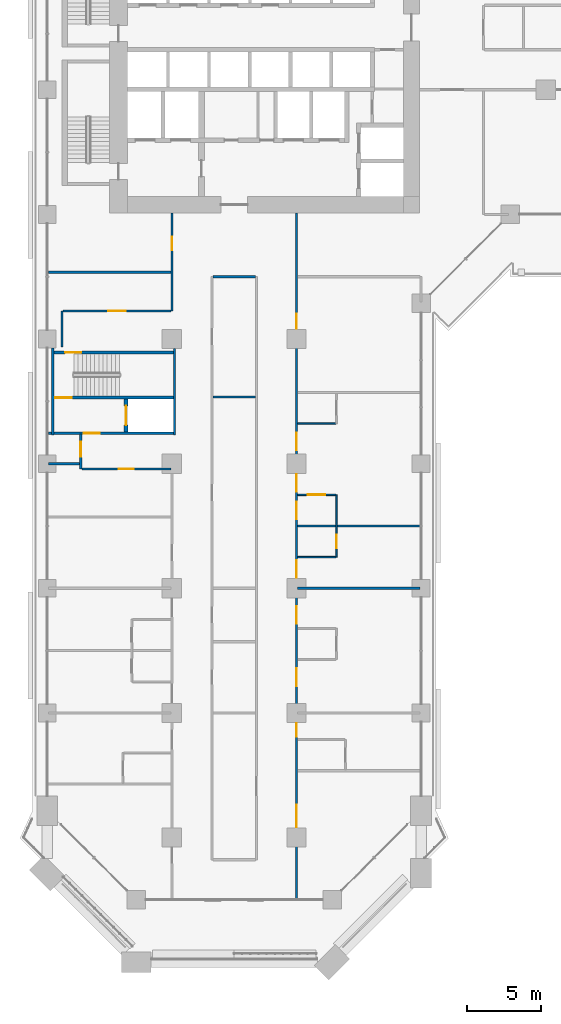
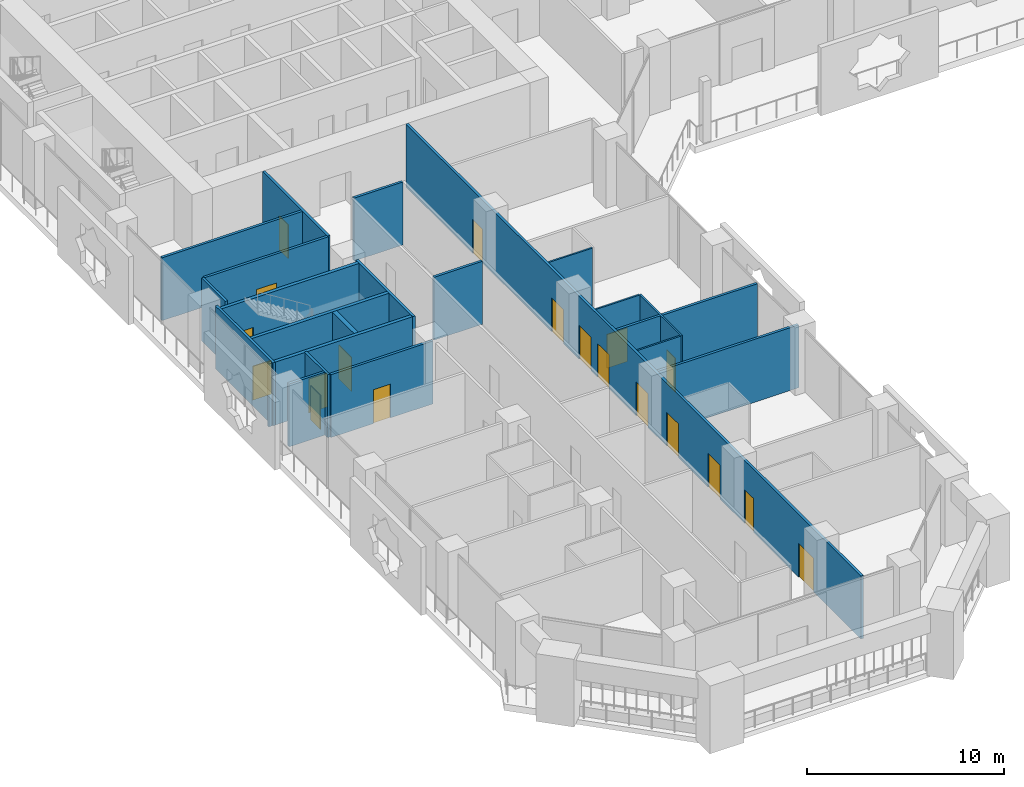
# One storey, part 14 of 26: 23 walls, 19 doors, 19 openings.
"""IFC4 building model written with IfcOpenShell, lengths in metres."""

from ifc_helpers import new_model, si_unit, direction, frame, frame_2d, origin, place, context, subcontext, project, spatial, rectangle, extrude, material, layer, layer_set, type_object, element, fill, save


model = new_model("IFC4")

# Units and contexts
model_context = context("Model", 3, precision=1e-05, world=origin(), true_north=direction((0.0, 1.0)))
body_context = subcontext(model_context, "Body", "Model", "MODEL_VIEW")
ifc_project = project(units=[si_unit("LENGTHUNIT", "METRE"), si_unit("AREAUNIT", "SQUARE_METRE"), si_unit("VOLUMEUNIT", "CUBIC_METRE"), si_unit("PLANEANGLEUNIT", "RADIAN"), si_unit("MASSUNIT", "GRAM", prefix="KILO")], contexts=[model_context])

# Site, building, storey
site_placement = place(None, origin())
site = spatial("IfcSite", under=ifc_project, at=site_placement, CompositionType="ELEMENT")
building_placement = place(site_placement, origin())
building = spatial("IfcBuilding", under=site, at=building_placement, Name="Kawkab Arch Medical Tower", CompositionType="ELEMENT")
storey_placement = place(building_placement, frame((0.0, 0.0, 51.800048828125)))
storey = spatial("IfcBuildingStorey", under=building, at=storey_placement, Name="L11", CompositionType="ELEMENT", Elevation=51.800048828125)

# Wall, opening, door
ifc_material_1 = material(Name="Concrete C60/75", Category="concrete")
ifc_layer_1 = layer(ifc_material_1, 0.25)
ifc_layer_set_1 = layer_set([ifc_layer_1], Name="Concrete C60/75")
wall_type_1 = type_object("IfcWallType", Name="Core shear wall 250 C60/75", PredefinedType="SHEAR", material=ifc_layer_set_1)
wall_1_placement = place(storey_placement, frame((5.300048828125, -39.85009765625, 0.0), z_axis=(0.0, 0.0, 1.0), x_axis=(0.0, 1.0, 0.0)))
wall_1 = element("IfcWall", 1, at=wall_1_placement, inside=storey, type_object=wall_type_1, Name="L11 core shear wall", PredefinedType="SHEAR", context=body_context, shape_type="SweptSolid", body=[
    extrude(rectangle(XDim=2.2001953125, YDim=0.25, at=frame_2d((1.10009765625, 0.0))), origin(), (0.0, 0.0, 1.0), 3.89990234375),
])
opening_1_placement = place(wall_1_placement, frame((0.449951171875, 0.0, 0.0)))
opening_1 = element("IfcOpeningElement", 2, at=opening_1_placement, cuts=wall_1, Name="Opening LD2", PredefinedType="OPENING", context=body_context, shape_type="SweptSolid", body=[
    extrude(rectangle(XDim=1.300048828125, YDim=2.10009765625, at=frame_2d((0.64990234375, 1.050048828125))), frame((0.0, 0.135009765625, 0.0), z_axis=(0.0, -1.0, 0.0), x_axis=(1.0, 0.0, 0.0)), (0.0, 0.0, 1.0), 0.27001953125),
])
ifc_material_2 = material(Name="Stainless steel lift door leaf", Category="steel")
door_type_1 = type_object("IfcDoorType", Name="Lift landing door 1300", OperationType="DOUBLE_DOOR_SLIDING", PredefinedType="DOOR", material=ifc_material_2)
door_1_placement = place(opening_1_placement, origin())
door_1 = element("IfcDoor", 3, at=door_1_placement, inside=storey, type_object=door_type_1, Name="L11 Lift landing door SV2", OperationType="DOUBLE_DOOR_SLIDING", OverallHeight=2.10009765625, OverallWidth=1.300048828125, PredefinedType="DOOR", context=body_context, shape_type="SweptSolid", body=[
    extrude(rectangle(XDim=1.300048828125, YDim=2.10009765625, at=frame_2d((0.64990234375, 1.050048828125))), frame((0.0, 0.02490234375, 0.0), z_axis=(0.0, -1.0, 0.0), x_axis=(1.0, 0.0, 0.0)), (0.0, 0.0, 1.0), 0.050048828125),
])
fill(opening_1, door_1)

# Wall
ifc_material_3 = material(Name="Gypsum board partition on steel studs", Category="steel")
ifc_layer_2 = layer(ifc_material_3, 0.10009765625)
ifc_layer_set_2 = layer_set([ifc_layer_2], Name="Gypsum board partition on steel studs")
wall_type_2 = type_object("IfcWallType", Name="Partition 100", PredefinedType="PARTITIONING", material=ifc_layer_set_2)
wall_2_placement = place(storey_placement, frame((16.875, -48.300048828125, 0.0), z_axis=(0.0, 0.0, 1.0), x_axis=(1.0, 0.0, 0.0)))
element("IfcWall", 4, at=wall_2_placement, inside=storey, type_object=wall_type_2, Name="Partition 100 w007", PredefinedType="PARTITIONING", context=body_context, shape_type="SweptSolid", body=[
    extrude(rectangle(XDim=2.574951171875, YDim=0.10009765625, at=frame_2d((1.28759765625, 0.0))), origin(), (0.0, 0.0, 1.0), 3.89990234375),
])

# Wall, opening, door
wall_3_placement = place(storey_placement, frame((16.875, -44.10009765625, 0.0), z_axis=(0.0, 0.0, 1.0), x_axis=(1.0, 0.0, 0.0)))
wall_3 = element("IfcWall", 5, at=wall_3_placement, inside=storey, type_object=wall_type_2, Name="Partition 100 w008", PredefinedType="PARTITIONING", context=body_context, shape_type="SweptSolid", body=[
    extrude(rectangle(XDim=2.574951171875, YDim=0.10009765625, at=frame_2d((1.28759765625, 0.0))), origin(), (0.0, 0.0, 1.0), 3.89990234375),
])
opening_2_placement = place(wall_3_placement, frame((0.675048828125, 0.0, 0.0)))
opening_2 = element("IfcOpeningElement", 6, at=opening_2_placement, cuts=wall_3, Name="Opening W11-070", PredefinedType="OPENING", context=body_context, shape_type="SweptSolid", body=[
    extrude(rectangle(XDim=1.199951171875, YDim=2.10009765625, at=frame_2d((0.60009765625, 1.050048828125))), frame((0.0, 0.06005859375, 0.0), z_axis=(0.0, -1.0, 0.0), x_axis=(1.0, 0.0, 0.0)), (0.0, 0.0, 1.0), 0.1201171875),
])
ifc_material_4 = material(Name="Timber door leaf", Category="wood")
door_type_2 = type_object("IfcDoorType", Name="Single door 1200x2100", OperationType="NOTDEFINED", PredefinedType="DOOR", material=ifc_material_4)
door_2_placement = place(opening_2_placement, origin())
door_2 = element("IfcDoor", 7, at=door_2_placement, inside=storey, type_object=door_type_2, Name="Door W11-070", OperationType="SINGLE_SWING_RIGHT", OverallHeight=2.10009765625, OverallWidth=1.199951171875, PredefinedType="DOOR", context=body_context, shape_type="SweptSolid", body=[
    extrude(rectangle(XDim=1.199951171875, YDim=2.10009765625, at=frame_2d((0.60009765625, 1.050048828125))), frame((0.0, 0.02490234375, 0.0), z_axis=(0.0, -1.0, 0.0), x_axis=(1.0, 0.0, 0.0)), (0.0, 0.0, 1.0), 0.050048828125),
])
fill(opening_2, door_2)

# Wall
wall_4_placement = place(storey_placement, frame((16.875, -39.300048828125, 0.0), z_axis=(0.0, 0.0, 1.0), x_axis=(1.0, 0.0, 0.0)))
element("IfcWall", 8, at=wall_4_placement, inside=storey, type_object=wall_type_2, Name="Partition 100 w009", PredefinedType="PARTITIONING", context=body_context, shape_type="SweptSolid", body=[
    extrude(rectangle(XDim=2.574951171875, YDim=0.10009765625, at=frame_2d((1.28759765625, 0.0))), origin(), (0.0, 0.0, 1.0), 3.89990234375),
])

# Wall, opening, door
wall_5_placement = place(storey_placement, frame((19.5, -48.300048828125, 0.0), z_axis=(0.0, 0.0, 1.0), x_axis=(0.0, 1.0, 0.0)))
wall_5 = element("IfcWall", 9, at=wall_5_placement, inside=storey, type_object=wall_type_2, Name="Partition 100 w024", PredefinedType="PARTITIONING", context=body_context, shape_type="SweptSolid", body=[
    extrude(rectangle(XDim=4.199951171875, YDim=0.10009765625, at=frame_2d((2.10009765625, 0.0))), origin(), (0.0, 0.0, 1.0), 3.89990234375),
])
opening_3_placement = place(wall_5_placement, frame((0.60009765625, 0.0, 0.0)))
opening_3 = element("IfcOpeningElement", 10, at=opening_3_placement, cuts=wall_5, Name="Opening W11-023", PredefinedType="OPENING", context=body_context, shape_type="SweptSolid", body=[
    extrude(rectangle(XDim=0.89990234375, YDim=2.10009765625, at=frame_2d((0.449951171875, 1.050048828125))), frame((0.0, 0.06005859375, 0.0), z_axis=(0.0, -1.0, 0.0), x_axis=(1.0, 0.0, 0.0)), (0.0, 0.0, 1.0), 0.1201171875),
])
ifc_material_5 = material(Name="Timber door leaf", Category="wood")
door_type_3 = type_object("IfcDoorType", Name="Single door 900x2100", OperationType="NOTDEFINED", PredefinedType="DOOR", material=ifc_material_5)
door_3_placement = place(opening_3_placement, origin())
door_3 = element("IfcDoor", 11, at=door_3_placement, inside=storey, type_object=door_type_3, Name="Door W11-023", OperationType="SINGLE_SWING_RIGHT", OverallHeight=2.10009765625, OverallWidth=0.89990234375, PredefinedType="DOOR", context=body_context, shape_type="SweptSolid", body=[
    extrude(rectangle(XDim=0.89990234375, YDim=2.10009765625, at=frame_2d((0.449951171875, 1.050048828125))), frame((0.0, 0.02490234375, 0.0), z_axis=(0.0, -1.0, 0.0), x_axis=(1.0, 0.0, 0.0)), (0.0, 0.0, 1.0), 0.050048828125),
])
fill(opening_3, door_3)

# Walls
ifc_material_6 = material(Name="Gypsum board partition on steel studs, mineral wool", Category="steel")
ifc_layer_3 = layer(ifc_material_6, 0.14990234375)
ifc_layer_set_3 = layer_set([ifc_layer_3], Name="Gypsum board partition on steel studs, mineral wool")
wall_type_3 = type_object("IfcWallType", Name="Partition 150", PredefinedType="PARTITIONING", material=ifc_layer_set_3)
for number, where, z_axis, x_axis, name in (
    (12, (16.875, -50.39990234375, 0.0), (0.0, 0.0, 1.0), (1.0, 0.0, 0.0), "Partition 150 w049"),
    (13, (16.875, -46.199951171875, 0.0), (0.0, 0.0, 1.0), (1.0, 0.0, 0.0), "Partition 150 w050"),
):
    element("IfcWall", number, at=place(storey_placement, frame(where, z_axis=z_axis, x_axis=x_axis)), inside=storey, type_object=wall_type_3, Name=name, PredefinedType="PARTITIONING", context=body_context, shape_type="SweptSolid", body=[
        extrude(rectangle(XDim=8.2451171875, YDim=0.14990234375, at=frame_2d((4.12255859375, 0.0))), origin(), (0.0, 0.0, 1.0), 3.89990234375),
    ])

# Wall, opening, door
wall_6_placement = place(storey_placement, frame((2.326904296875, -42.35009765625, 0.0), z_axis=(0.0, 0.0, 1.0), x_axis=(1.0, 0.0, 0.0)))
wall_6 = element("IfcWall", 14, at=wall_6_placement, inside=storey, type_object=wall_type_3, Name="Partition 150 w052", PredefinedType="PARTITIONING", context=body_context, shape_type="SweptSolid", body=[
    extrude(rectangle(XDim=5.998046875, YDim=0.14990234375, at=frame_2d((2.9990234375, 0.0))), origin(), (0.0, 0.0, 1.0), 3.89990234375),
])
opening_4_placement = place(wall_6_placement, frame((2.4990234375, 0.0, 0.0)))
opening_4 = element("IfcOpeningElement", 15, at=opening_4_placement, cuts=wall_6, Name="Opening W11-034", PredefinedType="OPENING", context=body_context, shape_type="SweptSolid", body=[
    extrude(rectangle(XDim=1.0, YDim=2.10009765625, at=frame_2d((0.5, 1.050048828125))), frame((0.0, 0.0849609375, 0.0), z_axis=(0.0, -1.0, 0.0), x_axis=(1.0, 0.0, 0.0)), (0.0, 0.0, 1.0), 0.169921875),
])
ifc_material_7 = material(Name="Hollow metal door leaf")
door_type_4 = type_object("IfcDoorType", Name="Single door 1000x2100 FD30S", OperationType="NOTDEFINED", PredefinedType="DOOR", material=ifc_material_7)
door_4_placement = place(opening_4_placement, origin())
door_4 = element("IfcDoor", 16, at=door_4_placement, inside=storey, type_object=door_type_4, Name="Door W11-034", OperationType="SINGLE_SWING_LEFT", OverallHeight=2.10009765625, OverallWidth=1.0, PredefinedType="DOOR", context=body_context, shape_type="SweptSolid", body=[
    extrude(rectangle(XDim=1.0, YDim=2.10009765625, at=frame_2d((0.5, 1.050048828125))), frame((0.0, 0.02490234375, 0.0), z_axis=(0.0, -1.0, 0.0), x_axis=(1.0, 0.0, 0.0)), (0.0, 0.0, 1.0), 0.050048828125),
])
fill(opening_4, door_4)

# Walls
wall_7_placement = place(storey_placement, frame((0.080078125, -42.0, 0.0), z_axis=(0.0, 0.0, 1.0), x_axis=(1.0, 0.0, 0.0)))
element("IfcWall", 17, at=wall_7_placement, inside=storey, type_object=wall_type_3, Name="Partition 150 w053", PredefinedType="PARTITIONING", context=body_context, shape_type="SweptSolid", body=[
    extrude(rectangle(XDim=2.094970703125, YDim=0.14990234375, at=frame_2d((1.04736328125, 0.0))), origin(), (0.0, 0.0, 1.0), 3.89990234375),
])
wall_8_placement = place(storey_placement, frame((0.080078125, -39.949951171875, 0.0), z_axis=(0.0, 0.0, 1.0), x_axis=(1.0, 0.0, 0.0)))
element("IfcWall", 18, at=wall_8_placement, inside=storey, type_object=wall_type_3, Name="Partition 150 w054", PredefinedType="PARTITIONING", context=body_context, shape_type="SweptSolid", body=[
    extrude(rectangle(XDim=0.18994140625, YDim=0.14990234375, at=frame_2d((0.094970703125, 0.0))), origin(), (0.0, 0.0, 1.0), 3.89990234375),
])
wall_9_placement = place(storey_placement, frame((11.175048828125, -37.5, 0.0), z_axis=(0.0, 0.0, 1.0), x_axis=(1.0, 0.0, 0.0)))
element("IfcWall", 19, at=wall_9_placement, inside=storey, type_object=wall_type_3, Name="Partition 150 w055", PredefinedType="PARTITIONING", context=body_context, shape_type="SweptSolid", body=[
    extrude(rectangle(XDim=2.849853515625, YDim=0.14990234375, at=frame_2d((1.4248046875, 0.0))), origin(), (0.0, 0.0, 1.0), 3.89990234375),
])

# Wall, opening, door
wall_10_placement = place(storey_placement, frame((1.076904296875, -31.70703125, 0.0), z_axis=(0.0, 0.0, 1.0), x_axis=(1.0, 0.0, 0.0)))
wall_10 = element("IfcWall", 20, at=wall_10_placement, inside=storey, type_object=wall_type_3, Name="Partition 150 w057", PredefinedType="PARTITIONING", context=body_context, shape_type="SweptSolid", body=[
    extrude(rectangle(XDim=7.248046875, YDim=0.14990234375, at=frame_2d((3.6240234375, 0.0))), origin(), (0.0, 0.0, 1.0), 3.89990234375),
])
opening_5_placement = place(wall_10_placement, frame((3.02392578125, 0.0, 0.0)))
opening_5 = element("IfcOpeningElement", 21, at=opening_5_placement, cuts=wall_10, Name="Opening W11-062", PredefinedType="OPENING", context=body_context, shape_type="SweptSolid", body=[
    extrude(rectangle(XDim=1.199951171875, YDim=2.10009765625, at=frame_2d((0.60009765625, 1.050048828125))), frame((0.0, 0.0849609375, 0.0), z_axis=(0.0, -1.0, 0.0), x_axis=(1.0, 0.0, 0.0)), (0.0, 0.0, 1.0), 0.169921875),
])
ifc_material_8 = material(Name="Hollow metal door leaf")
door_type_5 = type_object("IfcDoorType", Name="Single door 1200x2100 FD30S", OperationType="NOTDEFINED", PredefinedType="DOOR", material=ifc_material_8)
door_5_placement = place(opening_5_placement, origin())
door_5 = element("IfcDoor", 22, at=door_5_placement, inside=storey, type_object=door_type_5, Name="Door W11-062", OperationType="SINGLE_SWING_RIGHT", OverallHeight=2.10009765625, OverallWidth=1.199951171875, PredefinedType="DOOR", context=body_context, shape_type="SweptSolid", body=[
    extrude(rectangle(XDim=1.199951171875, YDim=2.10009765625, at=frame_2d((0.60009765625, 1.050048828125))), frame((0.0, 0.02490234375, 0.0), z_axis=(0.0, -1.0, 0.0), x_axis=(1.0, 0.0, 0.0)), (0.0, 0.0, 1.0), 0.050048828125),
])
fill(opening_5, door_5)

# Walls
wall_11_placement = place(storey_placement, frame((11.175048828125, -29.39990234375, 0.0), z_axis=(0.0, 0.0, 1.0), x_axis=(1.0, 0.0, 0.0)))
element("IfcWall", 23, at=wall_11_placement, inside=storey, type_object=wall_type_3, Name="Partition 150 w058", PredefinedType="PARTITIONING", context=body_context, shape_type="SweptSolid", body=[
    extrude(rectangle(XDim=2.849853515625, YDim=0.14990234375, at=frame_2d((1.4248046875, 0.0))), origin(), (0.0, 0.0, 1.0), 3.89990234375),
])
wall_12_placement = place(storey_placement, frame((0.080078125, -29.10009765625, 0.0), z_axis=(0.0, 0.0, 1.0), x_axis=(1.0, 0.0, 0.0)))
element("IfcWall", 24, at=wall_12_placement, inside=storey, type_object=wall_type_3, Name="Partition 150 w060", PredefinedType="PARTITIONING", context=body_context, shape_type="SweptSolid", body=[
    extrude(rectangle(XDim=8.244873046875, YDim=0.14990234375, at=frame_2d((4.12255859375, 0.0))), origin(), (0.0, 0.0, 1.0), 3.89990234375),
])
wall_13_placement = place(storey_placement, frame((1.0, -34.123046875, 0.0), z_axis=(0.0, 0.0, 1.0), x_axis=(0.0, 1.0, 0.0)))
element("IfcWall", 25, at=wall_13_placement, inside=storey, type_object=wall_type_3, Name="Partition 150 w071", PredefinedType="PARTITIONING", context=body_context, shape_type="SweptSolid", body=[
    extrude(rectangle(XDim=2.4150390625, YDim=0.14990234375, at=frame_2d((1.20751953125, 0.0))), origin(), (0.0, 0.0, 1.0), 3.89990234375),
])

# Wall, opening, door
wall_14_placement = place(storey_placement, frame((2.25, -42.347900390625, 0.0), z_axis=(0.0, 0.0, 1.0), x_axis=(0.0, 1.0, 0.0)))
wall_14 = element("IfcWall", 26, at=wall_14_placement, inside=storey, type_object=wall_type_3, Name="Partition 150 w072", PredefinedType="PARTITIONING", context=body_context, shape_type="SweptSolid", body=[
    extrude(rectangle(XDim=2.347900390625, YDim=0.14990234375, at=frame_2d((1.173828125, 0.0))), origin(), (0.0, 0.0, 1.0), 3.89990234375),
])
opening_6_placement = place(wall_14_placement, frame((0.822998046875, 0.0, 0.0)))
opening_6 = element("IfcOpeningElement", 27, at=opening_6_placement, cuts=wall_14, Name="Opening W11-033", PredefinedType="OPENING", context=body_context, shape_type="SweptSolid", body=[
    extrude(rectangle(XDim=1.0, YDim=2.10009765625, at=frame_2d((0.5, 1.050048828125))), frame((0.0, 0.0849609375, 0.0), z_axis=(0.0, -1.0, 0.0), x_axis=(1.0, 0.0, 0.0)), (0.0, 0.0, 1.0), 0.169921875),
])
door_6_placement = place(opening_6_placement, origin())
door_6 = element("IfcDoor", 28, at=door_6_placement, inside=storey, type_object=door_type_4, Name="Door W11-033", OperationType="SINGLE_SWING_LEFT", OverallHeight=2.10009765625, OverallWidth=1.0, PredefinedType="DOOR", context=body_context, shape_type="SweptSolid", body=[
    extrude(rectangle(XDim=1.0, YDim=2.10009765625, at=frame_2d((0.5, 1.050048828125))), frame((0.0, 0.02490234375, 0.0), z_axis=(0.0, -1.0, 0.0), x_axis=(1.0, 0.0, 0.0)), (0.0, 0.0, 1.0), 0.050048828125),
])
fill(opening_6, door_6)

wall_15_placement = place(storey_placement, frame((8.39990234375, -31.70703125, 0.0), z_axis=(0.0, 0.0, 1.0), x_axis=(0.0, 1.0, 0.0)))
wall_15 = element("IfcWall", 29, at=wall_15_placement, inside=storey, type_object=wall_type_3, Name="Partition 150 w074", PredefinedType="PARTITIONING", context=body_context, shape_type="SweptSolid", body=[
    extrude(rectangle(XDim=6.60693359375, YDim=0.14990234375, at=frame_2d((3.303466796875, 0.0))), origin(), (0.0, 0.0, 1.0), 3.89990234375),
])
opening_7_placement = place(wall_15_placement, frame((4.10693359375, 0.0, 0.0)))
opening_7 = element("IfcOpeningElement", 30, at=opening_7_placement, cuts=wall_15, Name="Opening W11-017", PredefinedType="OPENING", context=body_context, shape_type="SweptSolid", body=[
    extrude(rectangle(XDim=0.89990234375, YDim=2.10009765625, at=frame_2d((0.449951171875, 1.050048828125))), frame((0.0, 0.0849609375, 0.0), z_axis=(0.0, -1.0, 0.0), x_axis=(1.0, 0.0, 0.0)), (0.0, 0.0, 1.0), 0.169921875),
])
door_7_placement = place(opening_7_placement, origin())
door_7 = element("IfcDoor", 31, at=door_7_placement, inside=storey, type_object=door_type_3, Name="Door W11-017", OperationType="SINGLE_SWING_RIGHT", OverallHeight=2.10009765625, OverallWidth=0.89990234375, PredefinedType="DOOR", context=body_context, shape_type="SweptSolid", body=[
    extrude(rectangle(XDim=0.89990234375, YDim=2.10009765625, at=frame_2d((0.449951171875, 1.050048828125))), frame((0.0, 0.02490234375, 0.0), z_axis=(0.0, -1.0, 0.0), x_axis=(1.0, 0.0, 0.0)), (0.0, 0.0, 1.0), 0.050048828125),
])
fill(opening_7, door_7)

# Wall, openings, doors
wall_16_placement = place(storey_placement, frame((16.800048828125, -71.320068359375, 0.0), z_axis=(0.0, 0.0, 1.0), x_axis=(0.0, 1.0, 0.0)))
wall_16 = element("IfcWall", 32, at=wall_16_placement, inside=storey, type_object=wall_type_3, Name="Partition 150 w077", PredefinedType="PARTITIONING", context=body_context, shape_type="SweptSolid", body=[
    extrude(rectangle(XDim=46.219970703125, YDim=0.14990234375, at=frame_2d((23.10986328125, 0.0))), origin(), (0.0, 0.0, 1.0), 3.89990234375),
])
opening_8_placement = place(wall_16_placement, frame((38.419921875, 0.0, 0.0)))
opening_8 = element("IfcOpeningElement", 33, at=opening_8_placement, cuts=wall_16, Name="Opening W11-040", PredefinedType="OPENING", context=body_context, shape_type="SweptSolid", body=[
    extrude(rectangle(XDim=1.0, YDim=2.10009765625, at=frame_2d((0.5, 1.050048828125))), frame((0.0, 0.0849609375, 0.0), z_axis=(0.0, -1.0, 0.0), x_axis=(1.0, 0.0, 0.0)), (0.0, 0.0, 1.0), 0.169921875),
])
opening_9_placement = place(wall_16_placement, frame((30.219970703125, 0.0, 0.0)))
opening_9 = element("IfcOpeningElement", 34, at=opening_9_placement, cuts=wall_16, Name="Opening W11-067", PredefinedType="OPENING", context=body_context, shape_type="SweptSolid", body=[
    extrude(rectangle(XDim=1.199951171875, YDim=2.10009765625, at=frame_2d((0.60009765625, 1.050048828125))), frame((0.0, 0.0849609375, 0.0), z_axis=(0.0, -1.0, 0.0), x_axis=(1.0, 0.0, 0.0)), (0.0, 0.0, 1.0), 0.169921875),
])
opening_10_placement = place(wall_16_placement, frame((27.419921875, 0.0, 0.0)))
opening_10 = element("IfcOpeningElement", 35, at=opening_10_placement, cuts=wall_16, Name="Opening W11-068", PredefinedType="OPENING", context=body_context, shape_type="SweptSolid", body=[
    extrude(rectangle(XDim=1.199951171875, YDim=2.10009765625, at=frame_2d((0.60009765625, 1.050048828125))), frame((0.0, 0.0849609375, 0.0), z_axis=(0.0, -1.0, 0.0), x_axis=(1.0, 0.0, 0.0)), (0.0, 0.0, 1.0), 0.169921875),
])
opening_11_placement = place(wall_16_placement, frame((25.570068359375, 0.0, 0.0)))
opening_11 = element("IfcOpeningElement", 36, at=opening_11_placement, cuts=wall_16, Name="Opening W11-069", PredefinedType="OPENING", context=body_context, shape_type="SweptSolid", body=[
    extrude(rectangle(XDim=1.199951171875, YDim=2.10009765625, at=frame_2d((0.60009765625, 1.050048828125))), frame((0.0, 0.0849609375, 0.0), z_axis=(0.0, -1.0, 0.0), x_axis=(1.0, 0.0, 0.0)), (0.0, 0.0, 1.0), 0.169921875),
])
opening_12_placement = place(wall_16_placement, frame((21.6201171875, 0.0, 0.0)))
opening_12 = element("IfcOpeningElement", 37, at=opening_12_placement, cuts=wall_16, Name="Opening W11-071", PredefinedType="OPENING", context=body_context, shape_type="SweptSolid", body=[
    extrude(rectangle(XDim=1.199951171875, YDim=2.10009765625, at=frame_2d((0.60009765625, 1.050048828125))), frame((0.0, 0.0849609375, 0.0), z_axis=(0.0, -1.0, 0.0), x_axis=(1.0, 0.0, 0.0)), (0.0, 0.0, 1.0), 0.169921875),
])
opening_13_placement = place(wall_16_placement, frame((14.320068359375, 0.0, 0.0)))
opening_13 = element("IfcOpeningElement", 38, at=opening_13_placement, cuts=wall_16, Name="Opening W11-072", PredefinedType="OPENING", context=body_context, shape_type="SweptSolid", body=[
    extrude(rectangle(XDim=1.199951171875, YDim=2.10009765625, at=frame_2d((0.60009765625, 1.050048828125))), frame((0.0, 0.0849609375, 0.0), z_axis=(0.0, -1.0, 0.0), x_axis=(1.0, 0.0, 0.0)), (0.0, 0.0, 1.0), 0.169921875),
])
opening_14_placement = place(wall_16_placement, frame((18.52001953125, 0.0, 0.0)))
opening_14 = element("IfcOpeningElement", 39, at=opening_14_placement, cuts=wall_16, Name="Opening W11-073", PredefinedType="OPENING", context=body_context, shape_type="SweptSolid", body=[
    extrude(rectangle(XDim=1.199951171875, YDim=2.10009765625, at=frame_2d((0.60009765625, 1.050048828125))), frame((0.0, 0.0849609375, 0.0), z_axis=(0.0, -1.0, 0.0), x_axis=(1.0, 0.0, 0.0)), (0.0, 0.0, 1.0), 0.169921875),
])
opening_15_placement = place(wall_16_placement, frame((10.919921875, 0.0, 0.0)))
opening_15 = element("IfcOpeningElement", 40, at=opening_15_placement, cuts=wall_16, Name="Opening W11-027", PredefinedType="OPENING", context=body_context, shape_type="SweptSolid", body=[
    extrude(rectangle(XDim=0.89990234375, YDim=2.10009765625, at=frame_2d((0.449951171875, 1.050048828125))), frame((0.0, 0.0849609375, 0.0), z_axis=(0.0, -1.0, 0.0), x_axis=(1.0, 0.0, 0.0)), (0.0, 0.0, 1.0), 0.169921875),
])
opening_16_placement = place(wall_16_placement, frame((4.820068359375, 0.0, 0.0)))
opening_16 = element("IfcOpeningElement", 41, at=opening_16_placement, cuts=wall_16, Name="Opening W11-005", PredefinedType="OPENING", context=body_context, shape_type="SweptSolid", body=[
    extrude(rectangle(XDim=1.5, YDim=2.10009765625, at=frame_2d((0.75, 1.050048828125))), frame((0.0, 0.0849609375, 0.0), z_axis=(0.0, -1.0, 0.0), x_axis=(1.0, 0.0, 0.0)), (0.0, 0.0, 1.0), 0.169921875),
])
ifc_material_9 = material(Name="Hollow metal door leaf")
door_type_6 = type_object("IfcDoorType", Name="Double door 1500x2100 FD30S", OperationType="NOTDEFINED", PredefinedType="DOOR", material=ifc_material_9)
door_8_placement = place(opening_16_placement, origin())
door_8 = element("IfcDoor", 42, at=door_8_placement, inside=storey, type_object=door_type_6, Name="Door W11-005", OperationType="DOUBLE_DOOR_SINGLE_SWING", OverallHeight=2.10009765625, OverallWidth=1.5, PredefinedType="DOOR", context=body_context, shape_type="SweptSolid", body=[
    extrude(rectangle(XDim=1.5, YDim=2.10009765625, at=frame_2d((0.75, 1.050048828125))), frame((0.0, 0.02490234375, 0.0), z_axis=(0.0, -1.0, 0.0), x_axis=(1.0, 0.0, 0.0)), (0.0, 0.0, 1.0), 0.050048828125),
])
fill(opening_16, door_8)
door_9_placement = place(opening_8_placement, origin())
door_9 = element("IfcDoor", 43, at=door_9_placement, inside=storey, type_object=door_type_4, Name="Door W11-040", OperationType="SINGLE_SWING_LEFT", OverallHeight=2.10009765625, OverallWidth=1.0, PredefinedType="DOOR", context=body_context, shape_type="SweptSolid", body=[
    extrude(rectangle(XDim=1.0, YDim=2.10009765625, at=frame_2d((0.5, 1.050048828125))), frame((0.0, 0.02490234375, 0.0), z_axis=(0.0, -1.0, 0.0), x_axis=(1.0, 0.0, 0.0)), (0.0, 0.0, 1.0), 0.050048828125),
])
fill(opening_8, door_9)
door_10_placement = place(opening_9_placement, origin())
door_10 = element("IfcDoor", 44, at=door_10_placement, inside=storey, type_object=door_type_5, Name="Door W11-067", OperationType="SINGLE_SWING_LEFT", OverallHeight=2.10009765625, OverallWidth=1.199951171875, PredefinedType="DOOR", context=body_context, shape_type="SweptSolid", body=[
    extrude(rectangle(XDim=1.199951171875, YDim=2.10009765625, at=frame_2d((0.60009765625, 1.050048828125))), frame((0.0, 0.02490234375, 0.0), z_axis=(0.0, -1.0, 0.0), x_axis=(1.0, 0.0, 0.0)), (0.0, 0.0, 1.0), 0.050048828125),
])
fill(opening_9, door_10)
door_11_placement = place(opening_10_placement, origin())
door_11 = element("IfcDoor", 45, at=door_11_placement, inside=storey, type_object=door_type_5, Name="Door W11-068", OperationType="SINGLE_SWING_LEFT", OverallHeight=2.10009765625, OverallWidth=1.199951171875, PredefinedType="DOOR", context=body_context, shape_type="SweptSolid", body=[
    extrude(rectangle(XDim=1.199951171875, YDim=2.10009765625, at=frame_2d((0.60009765625, 1.050048828125))), frame((0.0, 0.02490234375, 0.0), z_axis=(0.0, -1.0, 0.0), x_axis=(1.0, 0.0, 0.0)), (0.0, 0.0, 1.0), 0.050048828125),
])
fill(opening_10, door_11)
door_12_placement = place(opening_11_placement, origin())
door_12 = element("IfcDoor", 46, at=door_12_placement, inside=storey, type_object=door_type_5, Name="Door W11-069", OperationType="SINGLE_SWING_LEFT", OverallHeight=2.10009765625, OverallWidth=1.199951171875, PredefinedType="DOOR", context=body_context, shape_type="SweptSolid", body=[
    extrude(rectangle(XDim=1.199951171875, YDim=2.10009765625, at=frame_2d((0.60009765625, 1.050048828125))), frame((0.0, 0.02490234375, 0.0), z_axis=(0.0, -1.0, 0.0), x_axis=(1.0, 0.0, 0.0)), (0.0, 0.0, 1.0), 0.050048828125),
])
fill(opening_11, door_12)
door_13_placement = place(opening_12_placement, origin())
door_13 = element("IfcDoor", 47, at=door_13_placement, inside=storey, type_object=door_type_5, Name="Door W11-071", OperationType="SINGLE_SWING_RIGHT", OverallHeight=2.10009765625, OverallWidth=1.199951171875, PredefinedType="DOOR", context=body_context, shape_type="SweptSolid", body=[
    extrude(rectangle(XDim=1.199951171875, YDim=2.10009765625, at=frame_2d((0.60009765625, 1.050048828125))), frame((0.0, 0.02490234375, 0.0), z_axis=(0.0, -1.0, 0.0), x_axis=(1.0, 0.0, 0.0)), (0.0, 0.0, 1.0), 0.050048828125),
])
fill(opening_12, door_13)
door_14_placement = place(opening_13_placement, origin())
door_14 = element("IfcDoor", 48, at=door_14_placement, inside=storey, type_object=door_type_5, Name="Door W11-072", OperationType="SINGLE_SWING_RIGHT", OverallHeight=2.10009765625, OverallWidth=1.199951171875, PredefinedType="DOOR", context=body_context, shape_type="SweptSolid", body=[
    extrude(rectangle(XDim=1.199951171875, YDim=2.10009765625, at=frame_2d((0.60009765625, 1.050048828125))), frame((0.0, 0.02490234375, 0.0), z_axis=(0.0, -1.0, 0.0), x_axis=(1.0, 0.0, 0.0)), (0.0, 0.0, 1.0), 0.050048828125),
])
fill(opening_13, door_14)
door_15_placement = place(opening_14_placement, origin())
door_15 = element("IfcDoor", 49, at=door_15_placement, inside=storey, type_object=door_type_5, Name="Door W11-073", OperationType="SINGLE_SWING_RIGHT", OverallHeight=2.10009765625, OverallWidth=1.199951171875, PredefinedType="DOOR", context=body_context, shape_type="SweptSolid", body=[
    extrude(rectangle(XDim=1.199951171875, YDim=2.10009765625, at=frame_2d((0.60009765625, 1.050048828125))), frame((0.0, 0.02490234375, 0.0), z_axis=(0.0, -1.0, 0.0), x_axis=(1.0, 0.0, 0.0)), (0.0, 0.0, 1.0), 0.050048828125),
])
fill(opening_14, door_15)
ifc_material_10 = material(Name="Hollow metal door leaf")
door_type_7 = type_object("IfcDoorType", Name="Single door 900x2100 FD30S", OperationType="NOTDEFINED", PredefinedType="DOOR", material=ifc_material_10)
door_16_placement = place(opening_15_placement, origin())
door_16 = element("IfcDoor", 50, at=door_16_placement, inside=storey, type_object=door_type_7, Name="Door W11-027", OperationType="SINGLE_SWING_RIGHT", OverallHeight=2.10009765625, OverallWidth=0.89990234375, PredefinedType="DOOR", context=body_context, shape_type="SweptSolid", body=[
    extrude(rectangle(XDim=0.89990234375, YDim=2.10009765625, at=frame_2d((0.449951171875, 1.050048828125))), frame((0.0, 0.02490234375, 0.0), z_axis=(0.0, -1.0, 0.0), x_axis=(1.0, 0.0, 0.0)), (0.0, 0.0, 1.0), 0.050048828125),
])
fill(opening_15, door_16)

# Walls
ifc_material_11 = material(Name="Concrete C50/60", Category="concrete")
ifc_layer_4 = layer(ifc_material_11, 0.14990234375)
ifc_layer_set_4 = layer_set([ifc_layer_4], Name="Concrete C50/60")
wall_type_4 = type_object("IfcWallType", Name="Stair enclosure wall 150 C50/60", PredefinedType="SHEAR", material=ifc_layer_set_4)
wall_17_placement = place(storey_placement, frame((0.375, -40.050048828125, 0.0), z_axis=(0.0, 0.0, 1.0), x_axis=(0.0, 1.0, 0.0)))
element("IfcWall", 51, at=wall_17_placement, inside=storey, type_object=wall_type_4, Name="L11 stair enclosure wall", PredefinedType="SHEAR", context=body_context, shape_type="SweptSolid", body=[
    extrude(rectangle(XDim=5.85009765625, YDim=0.14990234375, at=frame_2d((2.925048828125, 0.0))), origin(), (0.0, 0.0, 1.0), 3.89990234375),
])
wall_18_placement = place(storey_placement, frame((8.574951171875, -40.050048828125, 0.0), z_axis=(0.0, 0.0, 1.0), x_axis=(0.0, 1.0, 0.0)))
element("IfcWall", 52, at=wall_18_placement, inside=storey, type_object=wall_type_4, Name="L11 stair enclosure wall", PredefinedType="SHEAR", context=body_context, shape_type="SweptSolid", body=[
    extrude(rectangle(XDim=5.800048828125, YDim=0.14990234375, at=frame_2d((2.89990234375, 0.0))), origin(), (0.0, 0.0, 1.0), 3.89990234375),
])

# Wall, opening, door
ifc_material_12 = material(Name="Concrete C50/60", Category="concrete")
ifc_layer_5 = layer(ifc_material_12, 0.199951171875)
ifc_layer_set_5 = layer_set([ifc_layer_5], Name="Concrete C50/60")
wall_type_5 = type_object("IfcWallType", Name="Stair enclosure wall 200 C50/60", PredefinedType="SHEAR", material=ifc_layer_set_5)
wall_19_placement = place(storey_placement, frame((0.449951171875, -34.5, 0.0), z_axis=(0.0, 0.0, 1.0), x_axis=(1.0, 0.0, 0.0)))
wall_19 = element("IfcWall", 53, at=wall_19_placement, inside=storey, type_object=wall_type_5, Name="L11 stair enclosure wall", PredefinedType="SHEAR", context=body_context, shape_type="SweptSolid", body=[
    extrude(rectangle(XDim=8.050048828125, YDim=0.199951171875, at=frame_2d((4.02490234375, 0.0))), origin(), (0.0, 0.0, 1.0), 3.89990234375),
])
opening_17_placement = place(wall_19_placement, frame((0.75, 0.0, 0.0)))
opening_17 = element("IfcOpeningElement", 54, at=opening_17_placement, cuts=wall_19, Name="Opening SD", PredefinedType="OPENING", context=body_context, shape_type="SweptSolid", body=[
    extrude(rectangle(XDim=1.10009765625, YDim=2.10009765625, at=frame_2d((0.550048828125, 1.050048828125))), frame((0.0, 0.10986328125, 0.0), z_axis=(0.0, -1.0, 0.0), x_axis=(1.0, 0.0, 0.0)), (0.0, 0.0, 1.0), 0.219970703125),
])
ifc_material_13 = material(Name="Hollow metal fire door leaf")
door_type_8 = type_object("IfcDoorType", Name="Exit stair door 1100", OperationType="SINGLE_SWING_LEFT", PredefinedType="DOOR", material=ifc_material_13)
door_17_placement = place(opening_17_placement, origin())
door_17 = element("IfcDoor", 55, at=door_17_placement, inside=storey, type_object=door_type_8, Name="L11 Exit stair ST6 door", OperationType="SINGLE_SWING_LEFT", OverallHeight=2.10009765625, OverallWidth=1.10009765625, PredefinedType="DOOR", context=body_context, shape_type="SweptSolid", body=[
    extrude(rectangle(XDim=1.10009765625, YDim=2.10009765625, at=frame_2d((0.550048828125, 1.050048828125))), frame((0.0, 0.02490234375, 0.0), z_axis=(0.0, -1.0, 0.0), x_axis=(1.0, 0.0, 0.0)), (0.0, 0.0, 1.0), 0.050048828125),
])
fill(opening_17, door_17)

wall_20_placement = place(storey_placement, frame((0.449951171875, -37.550048828125, 0.0), z_axis=(0.0, 0.0, 1.0), x_axis=(1.0, 0.0, 0.0)))
wall_20 = element("IfcWall", 56, at=wall_20_placement, inside=storey, type_object=wall_type_5, Name="L11 stair enclosure wall", PredefinedType="SHEAR", context=body_context, shape_type="SweptSolid", body=[
    extrude(rectangle(XDim=8.050048828125, YDim=0.199951171875, at=frame_2d((4.02490234375, 0.0))), origin(), (0.0, 0.0, 1.0), 3.89990234375),
])
opening_18_placement = place(wall_20_placement, frame((0.10009765625, 0.0, 0.0)))
opening_18 = element("IfcOpeningElement", 57, at=opening_18_placement, cuts=wall_20, Name="Opening SD", PredefinedType="OPENING", context=body_context, shape_type="SweptSolid", body=[
    extrude(rectangle(XDim=1.10009765625, YDim=2.10009765625, at=frame_2d((0.550048828125, 1.050048828125))), frame((0.0, 0.10986328125, 0.0), z_axis=(0.0, -1.0, 0.0), x_axis=(1.0, 0.0, 0.0)), (0.0, 0.0, 1.0), 0.219970703125),
])
door_18_placement = place(opening_18_placement, frame((1.10009765625, 0.0, 0.0), z_axis=(0.0, 0.0, 1.0), x_axis=(-1.0, 0.0, 0.0)))
door_18 = element("IfcDoor", 58, at=door_18_placement, inside=storey, type_object=door_type_8, Name="L11 Exit stair ST6 lobby door", OperationType="SINGLE_SWING_LEFT", OverallHeight=2.10009765625, OverallWidth=1.10009765625, PredefinedType="DOOR", context=body_context, shape_type="SweptSolid", body=[
    extrude(rectangle(XDim=1.10009765625, YDim=2.10009765625, at=frame_2d((0.550048828125, 1.050048828125))), frame((0.0, 0.02490234375, 0.0), z_axis=(0.0, -1.0, 0.0), x_axis=(1.0, 0.0, 0.0)), (0.0, 0.0, 1.0), 0.050048828125),
])
fill(opening_18, door_18)

wall_21_placement = place(storey_placement, frame((0.449951171875, -39.949951171875, 0.0), z_axis=(0.0, 0.0, 1.0), x_axis=(1.0, 0.0, 0.0)))
wall_21 = element("IfcWall", 59, at=wall_21_placement, inside=storey, type_object=wall_type_5, Name="L11 stair enclosure wall", PredefinedType="SHEAR", context=body_context, shape_type="SweptSolid", body=[
    extrude(rectangle(XDim=8.050048828125, YDim=0.199951171875, at=frame_2d((4.02490234375, 0.0))), origin(), (0.0, 0.0, 1.0), 3.89990234375),
])
opening_19_placement = place(wall_21_placement, frame((2.0, 0.0, 0.0)))
opening_19 = element("IfcOpeningElement", 60, at=opening_19_placement, cuts=wall_21, Name="Opening FD", PredefinedType="OPENING", context=body_context, shape_type="SweptSolid", body=[
    extrude(rectangle(XDim=1.10009765625, YDim=2.10009765625, at=frame_2d((0.550048828125, 1.050048828125))), frame((0.0, 0.10986328125, 0.0), z_axis=(0.0, -1.0, 0.0), x_axis=(1.0, 0.0, 0.0)), (0.0, 0.0, 1.0), 0.219970703125),
])
ifc_material_14 = material(Name="Hollow metal fire door leaf")
door_type_9 = type_object("IfcDoorType", Name="Firefighting lobby door 1100", OperationType="SINGLE_SWING_LEFT", PredefinedType="DOOR", material=ifc_material_14)
door_19_placement = place(opening_19_placement, origin())
door_19 = element("IfcDoor", 61, at=door_19_placement, inside=storey, type_object=door_type_9, Name="L11 Service lift lobby door SV2", OperationType="SINGLE_SWING_LEFT", OverallHeight=2.10009765625, OverallWidth=1.10009765625, PredefinedType="DOOR", context=body_context, shape_type="SweptSolid", body=[
    extrude(rectangle(XDim=1.10009765625, YDim=2.10009765625, at=frame_2d((0.550048828125, 1.050048828125))), frame((0.0, 0.02490234375, 0.0), z_axis=(0.0, -1.0, 0.0), x_axis=(1.0, 0.0, 0.0)), (0.0, 0.0, 1.0), 0.050048828125),
])
fill(opening_19, door_19)

save(model, "model.ifc")
